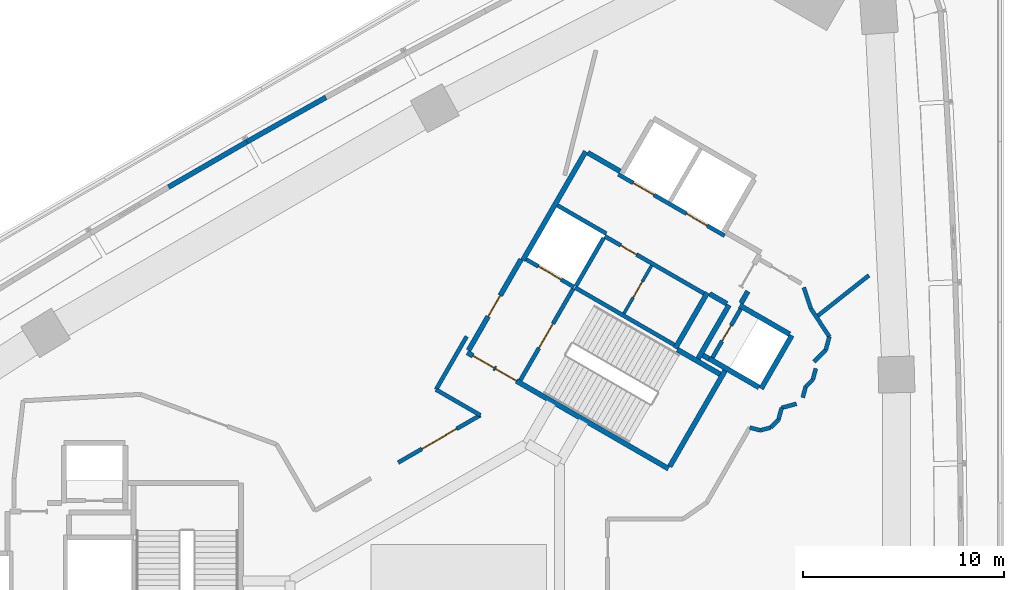
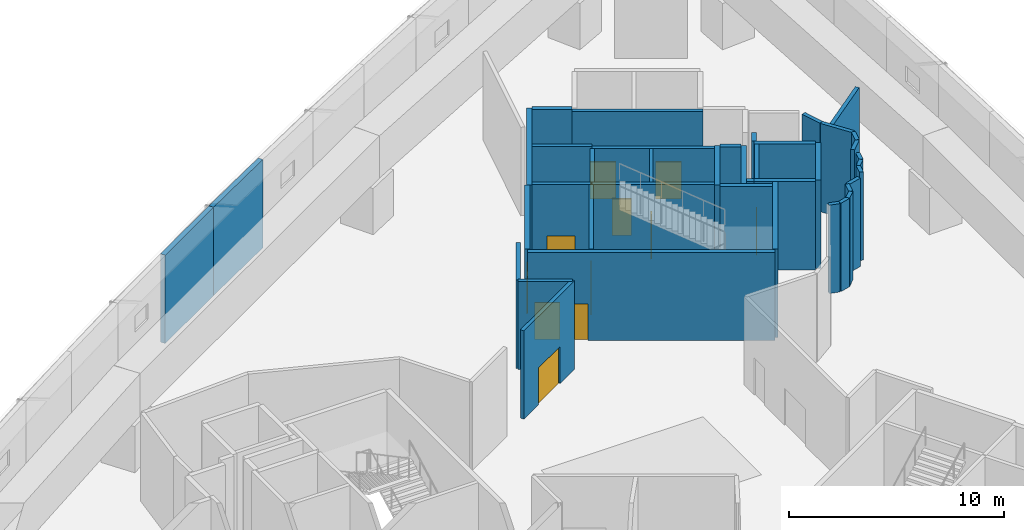
# One storey, part 5 of 11: 41 walls, 11 doors, 11 openings.
"""IFC4 building model written with IfcOpenShell, lengths in metres."""

from ifc_helpers import new_model, si_unit, direction, frame, frame_2d, origin, place, context, subcontext, project, spatial, rectangle, extrude, material, layer, layer_set, type_object, element, fill, save


model = new_model("IFC4")

# Units and contexts
model_context = context("Model", 3, precision=1e-05, world=origin(), true_north=direction((0.0, 1.0)))
body_context = subcontext(model_context, "Body", "Model", "MODEL_VIEW")
ifc_project = project(units=[si_unit("LENGTHUNIT", "METRE"), si_unit("AREAUNIT", "SQUARE_METRE"), si_unit("VOLUMEUNIT", "CUBIC_METRE"), si_unit("PLANEANGLEUNIT", "RADIAN"), si_unit("MASSUNIT", "GRAM", prefix="KILO")], contexts=[model_context])

# Site, building, storey
site_placement = place(None, origin())
site = spatial("IfcSite", under=ifc_project, at=site_placement, CompositionType="ELEMENT")
building_placement = place(site_placement, origin())
building = spatial("IfcBuilding", under=site, at=building_placement, Name="Tamra Quay Hotel Tower", CompositionType="ELEMENT")
storey_placement = place(building_placement, frame((0.0, 0.0, 29.5)))
storey = spatial("IfcBuildingStorey", under=building, at=storey_placement, Name="L05", CompositionType="ELEMENT", Elevation=29.5)

# Wall, openings, doors
ifc_material_1 = material(Name="Concrete M70", Category="concrete")
ifc_layer_1 = layer(ifc_material_1, 0.199951171875)
ifc_layer_set_1 = layer_set([ifc_layer_1], Name="Concrete M70 core wall 200")
wall_type_1 = type_object("IfcWallType", Name="Concrete M70 core wall 200", PredefinedType="SHEAR", material=ifc_layer_set_1)
wall_1_placement = place(storey_placement, frame((13.209716796875, 18.07958984375, 0.0), z_axis=(0.0, 0.0, 1.0), x_axis=(-0.866030299012, 0.499991521122, 0.0)))
wall_1 = element("IfcWall", 1, at=wall_1_placement, inside=storey, type_object=wall_type_1, Name="CW2", PredefinedType="SHEAR", context=body_context, shape_type="SweptSolid", body=[
    extrude(rectangle(XDim=6.10009765625, YDim=0.199951171875, at=frame_2d((3.050048828125, 0.0))), origin(), (0.0, 0.0, 1.0), 5.02490234375),
])
opening_1_placement = place(wall_1_placement, frame((1.0, 0.0, 0.0)))
opening_1 = element("IfcOpeningElement", 2, at=opening_1_placement, cuts=wall_1, Name="Opening LD", PredefinedType="OPENING", context=body_context, shape_type="SweptSolid", body=[
    extrude(rectangle(XDim=1.199951171875, YDim=2.10009765625, at=frame_2d((0.60009765625, 1.050048828125))), frame((0.0, 0.10986328125, 0.0), z_axis=(0.0, -1.0, 0.0), x_axis=(1.0, 0.0, 0.0)), (0.0, 0.0, 1.0), 0.219970703125),
])
opening_2_placement = place(wall_1_placement, frame((4.05029296875, 0.0, 0.0)))
opening_2 = element("IfcOpeningElement", 3, at=opening_2_placement, cuts=wall_1, Name="Opening LD", PredefinedType="OPENING", context=body_context, shape_type="SweptSolid", body=[
    extrude(rectangle(XDim=1.199951171875, YDim=2.10009765625, at=frame_2d((0.60009765625, 1.050048828125))), frame((0.0, 0.10986328125, 0.0), z_axis=(0.0, -1.0, 0.0), x_axis=(1.0, 0.0, 0.0)), (0.0, 0.0, 1.0), 0.219970703125),
])
ifc_material_2 = material(Name="Landing door LD 1200 double door sliding")
door_type_1 = type_object("IfcDoorType", Name="Landing door LD 1200 double door sliding", OperationType="DOUBLE_DOOR_SLIDING", PredefinedType="DOOR", material=ifc_material_2)
door_1_placement = place(opening_1_placement, origin())
door_1 = element("IfcDoor", 4, at=door_1_placement, inside=storey, type_object=door_type_1, Name="LD", OperationType="DOUBLE_DOOR_SLIDING", OverallHeight=2.10009765625, OverallWidth=1.199951171875, PredefinedType="DOOR", context=body_context, shape_type="SweptSolid", body=[
    extrude(rectangle(XDim=1.199951171875, YDim=2.10009765625, at=frame_2d((0.60009765625, 1.050048828125))), frame((0.0, 0.02490234375, 0.0), z_axis=(0.0, -1.0, 0.0), x_axis=(1.0, 0.0, 0.0)), (0.0, 0.0, 1.0), 0.050048828125),
])
fill(opening_1, door_1)
door_2_placement = place(opening_2_placement, origin())
door_2 = element("IfcDoor", 5, at=door_2_placement, inside=storey, type_object=door_type_1, Name="LD", OperationType="DOUBLE_DOOR_SLIDING", OverallHeight=2.10009765625, OverallWidth=1.199951171875, PredefinedType="DOOR", context=body_context, shape_type="SweptSolid", body=[
    extrude(rectangle(XDim=1.199951171875, YDim=2.10009765625, at=frame_2d((0.60009765625, 1.050048828125))), frame((0.0, 0.02490234375, 0.0), z_axis=(0.0, -1.0, 0.0), x_axis=(1.0, 0.0, 0.0)), (0.0, 0.0, 1.0), 0.050048828125),
])
fill(opening_2, door_2)

# Wall
wall_2_placement = place(storey_placement, frame((5.774658203125, 15.501953125, 0.0), z_axis=(0.0, 0.0, 1.0), x_axis=(0.866020080793, -0.500009219579, 0.0)))
element("IfcWall", 6, at=wall_2_placement, inside=storey, type_object=wall_type_1, Name="CW2", PredefinedType="SHEAR", context=body_context, shape_type="SweptSolid", body=[
    extrude(rectangle(XDim=5.69921875, YDim=0.199951171875, at=frame_2d((2.849609375, 0.0))), origin(), (0.0, 0.0, 1.0), 5.02490234375),
])

# Wall, opening, door
wall_3_placement = place(storey_placement, frame((12.18505859375, 15.20703125, 0.0), z_axis=(0.0, 0.0, 1.0), x_axis=(-0.866020080793, 0.500009219579, 0.0)))
wall_3 = element("IfcWall", 7, at=wall_3_placement, inside=storey, type_object=wall_type_1, Name="CW2", PredefinedType="SHEAR", context=body_context, shape_type="SweptSolid", body=[
    extrude(rectangle(XDim=5.69921875, YDim=0.199951171875, at=frame_2d((2.849609375, 0.0))), origin(), (0.0, 0.0, 1.0), 5.02490234375),
])
opening_3_placement = place(wall_3_placement, frame((3.8740234375, 0.0, 0.0)))
opening_3 = element("IfcOpeningElement", 8, at=opening_3_placement, cuts=wall_3, Name="Opening D2", PredefinedType="OPENING", context=body_context, shape_type="SweptSolid", body=[
    extrude(rectangle(XDim=0.89990234375, YDim=2.10009765625, at=frame_2d((0.449951171875, 1.050048828125))), frame((0.0, 0.10986328125, 0.0), z_axis=(0.0, -1.0, 0.0), x_axis=(1.0, 0.0, 0.0)), (0.0, 0.0, 1.0), 0.219970703125),
])
ifc_material_3 = material(Name="Core door D2 900x2100 LH")
door_type_2 = type_object("IfcDoorType", Name="Core door D2 900x2100 LH", OperationType="NOTDEFINED", PredefinedType="DOOR", material=ifc_material_3)
door_3_placement = place(opening_3_placement, origin())
door_3 = element("IfcDoor", 9, at=door_3_placement, inside=storey, type_object=door_type_2, Name="D2", OperationType="SINGLE_SWING_LEFT", OverallHeight=2.10009765625, OverallWidth=0.89990234375, PredefinedType="DOOR", context=body_context, shape_type="SweptSolid", body=[
    extrude(rectangle(XDim=0.89990234375, YDim=2.10009765625, at=frame_2d((0.449951171875, 1.050048828125))), frame((0.0, 0.02490234375, 0.0), z_axis=(0.0, -1.0, 0.0), x_axis=(1.0, 0.0, 0.0)), (0.0, 0.0, 1.0), 0.050048828125),
])
fill(opening_3, door_3)

wall_4_placement = place(storey_placement, frame((3.056640625, 10.89453125, 0.0), z_axis=(0.0, 0.0, 1.0), x_axis=(0.499989418164, 0.866031513124, 0.0)))
wall_4 = element("IfcWall", 10, at=wall_4_placement, inside=storey, type_object=wall_type_1, Name="CW2", PredefinedType="SHEAR", context=body_context, shape_type="SweptSolid", body=[
    extrude(rectangle(XDim=5.2509765625, YDim=0.199951171875, at=frame_2d((2.62548828125, 0.0))), origin(), (0.0, 0.0, 1.0), 5.02490234375),
])
opening_4_placement = place(wall_4_placement, frame((1.84912109375, 0.0, 0.0)))
opening_4 = element("IfcOpeningElement", 11, at=opening_4_placement, cuts=wall_4, Name="Opening FD2", PredefinedType="OPENING", context=body_context, shape_type="SweptSolid", body=[
    extrude(rectangle(XDim=1.39990234375, YDim=2.10009765625, at=frame_2d((0.699951171875, 1.050048828125))), frame((0.0, 0.10986328125, 0.0), z_axis=(0.0, -1.0, 0.0), x_axis=(1.0, 0.0, 0.0)), (0.0, 0.0, 1.0), 0.219970703125),
])
ifc_material_4 = material(Name="Core door FD2 1400x2100 RH")
door_type_3 = type_object("IfcDoorType", Name="Core door FD2 1400x2100 RH", OperationType="NOTDEFINED", PredefinedType="DOOR", material=ifc_material_4)
door_4_placement = place(opening_4_placement, origin())
door_4 = element("IfcDoor", 12, at=door_4_placement, inside=storey, type_object=door_type_3, Name="FD2", OperationType="SINGLE_SWING_RIGHT", OverallHeight=2.10009765625, OverallWidth=1.39990234375, PredefinedType="DOOR", context=body_context, shape_type="SweptSolid", body=[
    extrude(rectangle(XDim=1.39990234375, YDim=2.10009765625, at=frame_2d((0.699951171875, 1.050048828125))), frame((0.0, 0.02490234375, 0.0), z_axis=(0.0, -1.0, 0.0), x_axis=(1.0, 0.0, 0.0)), (0.0, 0.0, 1.0), 0.050048828125),
])
fill(opening_4, door_4)

wall_5_placement = place(storey_placement, frame((14.0078125, 14.442138671875, 0.0), z_axis=(0.0, 0.0, 1.0), x_axis=(-0.499986818241, -0.866033014143, 0.0)))
wall_5 = element("IfcWall", 13, at=wall_5_placement, inside=storey, type_object=wall_type_1, Name="CW2", PredefinedType="SHEAR", context=body_context, shape_type="SweptSolid", body=[
    extrude(rectangle(XDim=2.7978515625, YDim=0.199951171875, at=frame_2d((1.39892578125, 0.0))), origin(), (0.0, 0.0, 1.0), 5.02490234375),
])
opening_5_placement = place(wall_5_placement, frame((0.948974609375, 0.0, 0.0)))
opening_5 = element("IfcOpeningElement", 14, at=opening_5_placement, cuts=wall_5, Name="Opening D1", PredefinedType="OPENING", context=body_context, shape_type="SweptSolid", body=[
    extrude(rectangle(XDim=0.89990234375, YDim=2.10009765625, at=frame_2d((0.449951171875, 1.050048828125))), frame((0.0, 0.10986328125, 0.0), z_axis=(0.0, -1.0, 0.0), x_axis=(1.0, 0.0, 0.0)), (0.0, 0.0, 1.0), 0.219970703125),
])
ifc_material_5 = material(Name="Core door D1 900x2100 RH")
door_type_4 = type_object("IfcDoorType", Name="Core door D1 900x2100 RH", OperationType="NOTDEFINED", PredefinedType="DOOR", material=ifc_material_5)
door_5_placement = place(opening_5_placement, origin())
door_5 = element("IfcDoor", 15, at=door_5_placement, inside=storey, type_object=door_type_4, Name="D1", OperationType="SINGLE_SWING_RIGHT", OverallHeight=2.10009765625, OverallWidth=0.89990234375, PredefinedType="DOOR", context=body_context, shape_type="SweptSolid", body=[
    extrude(rectangle(XDim=0.89990234375, YDim=2.10009765625, at=frame_2d((0.449951171875, 1.050048828125))), frame((0.0, 0.02490234375, 0.0), z_axis=(0.0, -1.0, 0.0), x_axis=(1.0, 0.0, 0.0)), (0.0, 0.0, 1.0), 0.050048828125),
])
fill(opening_5, door_5)

# Wall
wall_6_placement = place(storey_placement, frame((7.199462890625, 17.969970703125, 0.0), z_axis=(0.0, 0.0, 1.0), x_axis=(-0.499968400327, -0.866043647095, 0.0)))
element("IfcWall", 16, at=wall_6_placement, inside=storey, type_object=wall_type_1, Name="CW2", PredefinedType="SHEAR", context=body_context, shape_type="SweptSolid", body=[
    extrude(rectangle(XDim=2.749755859375, YDim=0.199951171875, at=frame_2d((1.375, 0.0))), origin(), (0.0, 0.0, 1.0), 5.02490234375),
])

# Wall, opening, door
wall_7_placement = place(storey_placement, frame((5.72509765625, 15.530517578125, 0.0), z_axis=(0.0, 0.0, 1.0), x_axis=(-0.866037306777, 0.499979382845, 0.0)))
wall_7 = element("IfcWall", 17, at=wall_7_placement, inside=storey, type_object=wall_type_1, Name="CW2", PredefinedType="SHEAR", context=body_context, shape_type="SweptSolid", body=[
    extrude(rectangle(XDim=2.74169921875, YDim=0.199951171875, at=frame_2d((1.370849609375, 0.0))), origin(), (0.0, 0.0, 1.0), 5.02490234375),
])
opening_6_placement = place(wall_7_placement, frame((0.742919921875, 0.0, 0.0)))
opening_6 = element("IfcOpeningElement", 18, at=opening_6_placement, cuts=wall_7, Name="Opening LD", PredefinedType="OPENING", context=body_context, shape_type="SweptSolid", body=[
    extrude(rectangle(XDim=1.300048828125, YDim=2.10009765625, at=frame_2d((0.64990234375, 1.050048828125))), frame((0.0, 0.10986328125, 0.0), z_axis=(0.0, -1.0, 0.0), x_axis=(1.0, 0.0, 0.0)), (0.0, 0.0, 1.0), 0.219970703125),
])
ifc_material_6 = material(Name="Landing door LD 1300 sliding to right")
door_type_5 = type_object("IfcDoorType", Name="Landing door LD 1300 sliding to right", OperationType="NOTDEFINED", PredefinedType="DOOR", material=ifc_material_6)
door_6_placement = place(opening_6_placement, origin())
door_6 = element("IfcDoor", 19, at=door_6_placement, inside=storey, type_object=door_type_5, Name="LD", OperationType="SLIDING_TO_RIGHT", OverallHeight=2.10009765625, OverallWidth=1.300048828125, PredefinedType="DOOR", context=body_context, shape_type="SweptSolid", body=[
    extrude(rectangle(XDim=1.300048828125, YDim=2.10009765625, at=frame_2d((0.64990234375, 1.050048828125))), frame((0.0, 0.02490234375, 0.0), z_axis=(0.0, -1.0, 0.0), x_axis=(1.0, 0.0, 0.0)), (0.0, 0.0, 1.0), 0.050048828125),
])
fill(opening_6, door_6)

# Wall
wall_8_placement = place(storey_placement, frame((4.900634765625, 19.5859375, 0.0), z_axis=(0.0, 0.0, 1.0), x_axis=(0.866022890907, -0.500004352405, 0.0)))
element("IfcWall", 20, at=wall_8_placement, inside=storey, type_object=wall_type_1, Name="CW2", PredefinedType="SHEAR", context=body_context, shape_type="SweptSolid", body=[
    extrude(rectangle(XDim=2.798828125, YDim=0.199951171875, at=frame_2d((1.3994140625, 0.0))), origin(), (0.0, 0.0, 1.0), 5.02490234375),
])

# Wall, openings, doors
ifc_layer_2 = layer(ifc_material_1, 0.25)
ifc_layer_set_2 = layer_set([ifc_layer_2], Name="Concrete M70 core wall 250")
wall_type_2 = type_object("IfcWallType", Name="Concrete M70 core wall 250", PredefinedType="SHEAR", material=ifc_layer_set_2)
wall_9_placement = place(storey_placement, frame((10.419921875, 6.497802734375, 0.0), z_axis=(0.0, 0.0, 1.0), x_axis=(-0.866021906294, 0.500006057782, 0.0)))
wall_9 = element("IfcWall", 21, at=wall_9_placement, inside=storey, type_object=wall_type_2, Name="CW1", PredefinedType="SHEAR", context=body_context, shape_type="SweptSolid", body=[
    extrude(rectangle(XDim=11.550048828125, YDim=0.25, at=frame_2d((5.77490234375, 0.0))), origin(), (0.0, 0.0, 1.0), 5.02490234375),
])
opening_7_placement = place(wall_9_placement, frame((10.02490234375, 0.0, 0.0)))
opening_7 = element("IfcOpeningElement", 22, at=opening_7_placement, cuts=wall_9, Name="Opening FD1", PredefinedType="OPENING", context=body_context, shape_type="SweptSolid", body=[
    extrude(rectangle(XDim=1.199951171875, YDim=2.10009765625, at=frame_2d((0.60009765625, 1.050048828125))), frame((0.0, 0.135009765625, 0.0), z_axis=(0.0, -1.0, 0.0), x_axis=(1.0, 0.0, 0.0)), (0.0, 0.0, 1.0), 0.27001953125),
])
opening_8_placement = place(wall_9_placement, frame((8.724853515625, 0.0, 0.0)))
opening_8 = element("IfcOpeningElement", 23, at=opening_8_placement, cuts=wall_9, Name="Opening FD1", PredefinedType="OPENING", context=body_context, shape_type="SweptSolid", body=[
    extrude(rectangle(XDim=1.199951171875, YDim=2.10009765625, at=frame_2d((0.60009765625, 1.050048828125))), frame((0.0, 0.135009765625, 0.0), z_axis=(0.0, -1.0, 0.0), x_axis=(1.0, 0.0, 0.0)), (0.0, 0.0, 1.0), 0.27001953125),
])
ifc_material_7 = material(Name="Core door FD1 1200x2100 LH")
door_type_6 = type_object("IfcDoorType", Name="Core door FD1 1200x2100 LH", OperationType="NOTDEFINED", PredefinedType="DOOR", material=ifc_material_7)
door_7_placement = place(opening_7_placement, origin())
door_7 = element("IfcDoor", 24, at=door_7_placement, inside=storey, type_object=door_type_6, Name="FD1", OperationType="SINGLE_SWING_LEFT", OverallHeight=2.10009765625, OverallWidth=1.199951171875, PredefinedType="DOOR", context=body_context, shape_type="SweptSolid", body=[
    extrude(rectangle(XDim=1.199951171875, YDim=2.10009765625, at=frame_2d((0.60009765625, 1.050048828125))), frame((0.0, 0.02490234375, 0.0), z_axis=(0.0, -1.0, 0.0), x_axis=(1.0, 0.0, 0.0)), (0.0, 0.0, 1.0), 0.050048828125),
])
fill(opening_7, door_7)
ifc_material_8 = material(Name="Core door FD1 1200x2100 RH")
door_type_7 = type_object("IfcDoorType", Name="Core door FD1 1200x2100 RH", OperationType="NOTDEFINED", PredefinedType="DOOR", material=ifc_material_8)
door_8_placement = place(opening_8_placement, origin())
door_8 = element("IfcDoor", 25, at=door_8_placement, inside=storey, type_object=door_type_7, Name="FD1", OperationType="SINGLE_SWING_RIGHT", OverallHeight=2.10009765625, OverallWidth=1.199951171875, PredefinedType="DOOR", context=body_context, shape_type="SweptSolid", body=[
    extrude(rectangle(XDim=1.199951171875, YDim=2.10009765625, at=frame_2d((0.60009765625, 1.050048828125))), frame((0.0, 0.02490234375, 0.0), z_axis=(0.0, -1.0, 0.0), x_axis=(1.0, 0.0, 0.0)), (0.0, 0.0, 1.0), 0.050048828125),
])
fill(opening_8, door_8)

# Wall
wall_10_placement = place(storey_placement, frame((3.178955078125, 16.856201171875, 0.0), z_axis=(0.0, 0.0, 1.0), x_axis=(0.500004234368, 0.866022959057, 0.0)))
element("IfcWall", 26, at=wall_10_placement, inside=storey, type_object=wall_type_2, Name="CW1", PredefinedType="SHEAR", context=body_context, shape_type="SweptSolid", body=[
    extrude(rectangle(XDim=6.25, YDim=0.25, at=frame_2d((3.125, 0.0))), origin(), (0.0, 0.0, 1.0), 5.02490234375),
])

# Wall, opening, door
wall_11_placement = place(storey_placement, frame((0.47998046875, 12.38134765625, 0.0), z_axis=(0.0, 0.0, 1.0), x_axis=(0.49999885962, 0.866026062182, 0.0)))
wall_11 = element("IfcWall", 27, at=wall_11_placement, inside=storey, type_object=wall_type_2, Name="CW1", PredefinedType="SHEAR", context=body_context, shape_type="SweptSolid", body=[
    extrude(rectangle(XDim=5.224609375, YDim=0.25, at=frame_2d((2.6123046875, 0.0))), origin(), (0.0, 0.0, 1.0), 5.02490234375),
])
opening_9_placement = place(wall_11_placement, frame((1.94970703125, 0.0, 0.0)))
opening_9 = element("IfcOpeningElement", 28, at=opening_9_placement, cuts=wall_11, Name="Opening D2", PredefinedType="OPENING", context=body_context, shape_type="SweptSolid", body=[
    extrude(rectangle(XDim=1.199951171875, YDim=2.10009765625, at=frame_2d((0.60009765625, 1.050048828125))), frame((0.0, 0.135009765625, 0.0), z_axis=(0.0, -1.0, 0.0), x_axis=(1.0, 0.0, 0.0)), (0.0, 0.0, 1.0), 0.27001953125),
])
ifc_material_9 = material(Name="Core door D2 1200x2100 LH")
door_type_8 = type_object("IfcDoorType", Name="Core door D2 1200x2100 LH", OperationType="NOTDEFINED", PredefinedType="DOOR", material=ifc_material_9)
door_9_placement = place(opening_9_placement, origin())
door_9 = element("IfcDoor", 29, at=door_9_placement, inside=storey, type_object=door_type_8, Name="D2", OperationType="SINGLE_SWING_LEFT", OverallHeight=2.10009765625, OverallWidth=1.199951171875, PredefinedType="DOOR", context=body_context, shape_type="SweptSolid", body=[
    extrude(rectangle(XDim=1.199951171875, YDim=2.10009765625, at=frame_2d((0.60009765625, 1.050048828125))), frame((0.0, 0.02490234375, 0.0), z_axis=(0.0, -1.0, 0.0), x_axis=(1.0, 0.0, 0.0)), (0.0, 0.0, 1.0), 0.050048828125),
])
fill(opening_9, door_9)

# Walls
wall_12_placement = place(storey_placement, frame((13.237548828125, 11.3779296875, 0.0), z_axis=(0.0, 0.0, 1.0), x_axis=(-0.500008851346, -0.866020293397, 0.0)))
element("IfcWall", 30, at=wall_12_placement, inside=storey, type_object=wall_type_2, Name="CW1", PredefinedType="SHEAR", context=body_context, shape_type="SweptSolid", body=[
    extrude(rectangle(XDim=5.509765625, YDim=0.25, at=frame_2d((2.7548828125, 0.0))), origin(), (0.0, 0.0, 1.0), 5.02490234375),
])
wall_13_placement = place(storey_placement, frame((12.356689453125, 15.25244140625, 0.0), z_axis=(0.0, 0.0, 1.0), x_axis=(-0.500028443584, -0.866008981251, 0.0)))
element("IfcWall", 31, at=wall_13_placement, inside=storey, type_object=wall_type_2, Name="CW1", PredefinedType="SHEAR", context=body_context, shape_type="SweptSolid", body=[
    extrude(rectangle(XDim=3.199951171875, YDim=0.25, at=frame_2d((1.60009765625, 0.0))), origin(), (0.0, 0.0, 1.0), 5.02490234375),
])
wall_14_placement = place(storey_placement, frame((16.552001953125, 13.118896484375, 0.0), z_axis=(0.0, 0.0, 1.0), x_axis=(-0.499978833458, -0.866037623948, 0.0)))
element("IfcWall", 32, at=wall_14_placement, inside=storey, type_object=wall_type_2, Name="CW1", PredefinedType="SHEAR", context=body_context, shape_type="SweptSolid", body=[
    extrude(rectangle(XDim=3.050048828125, YDim=0.25, at=frame_2d((1.52490234375, 0.0))), origin(), (0.0, 0.0, 1.0), 5.02490234375),
])
wall_15_placement = place(storey_placement, frame((14.91845703125, 10.540283203125, 0.0), z_axis=(0.0, 0.0, 1.0), x_axis=(-0.866063538972, 0.499933942099, 0.0)))
element("IfcWall", 33, at=wall_15_placement, inside=storey, type_object=wall_type_2, Name="CW1", PredefinedType="SHEAR", context=body_context, shape_type="SweptSolid", body=[
    extrude(rectangle(XDim=2.86474609375, YDim=0.25, at=frame_2d((1.432373046875, 0.0))), origin(), (0.0, 0.0, 1.0), 5.02490234375),
])
wall_16_placement = place(storey_placement, frame((13.962646484375, 14.61376953125, 0.0), z_axis=(0.0, 0.0, 1.0), x_axis=(0.866042235819, -0.499970844928, 0.0)))
element("IfcWall", 34, at=wall_16_placement, inside=storey, type_object=wall_type_2, Name="CW1", PredefinedType="SHEAR", context=body_context, shape_type="SweptSolid", body=[
    extrude(rectangle(XDim=2.864501953125, YDim=0.25, at=frame_2d((1.43212890625, 0.0))), origin(), (0.0, 0.0, 1.0), 5.02490234375),
])
wall_17_placement = place(storey_placement, frame((11.887939453125, 11.960693359375, 0.0), z_axis=(0.0, 0.0, 1.0), x_axis=(0.500003324108, 0.866023484601, 0.0)))
element("IfcWall", 35, at=wall_17_placement, inside=storey, type_object=wall_type_2, Name="CW1", PredefinedType="SHEAR", context=body_context, shape_type="SweptSolid", body=[
    extrude(rectangle(XDim=3.0849609375, YDim=0.25, at=frame_2d((1.54248046875, 0.0))), origin(), (0.0, 0.0, 1.0), 5.02490234375),
])
wall_18_placement = place(storey_placement, frame((10.865234375, 12.41845703125, 0.0), z_axis=(0.0, 0.0, 1.0), x_axis=(0.866026229868, -0.499998569178, 0.0)))
element("IfcWall", 36, at=wall_18_placement, inside=storey, type_object=wall_type_2, Name="CW1", PredefinedType="SHEAR", context=body_context, shape_type="SweptSolid", body=[
    extrude(rectangle(XDim=2.44921875, YDim=0.25, at=frame_2d((1.224609375, 0.0))), origin(), (0.0, 0.0, 1.0), 5.02490234375),
])
wall_19_placement = place(storey_placement, frame((6.41259765625, 22.2060546875, 0.0), z_axis=(0.0, 0.0, 1.0), x_axis=(0.866016279763, -0.500015802937, 0.0)))
element("IfcWall", 37, at=wall_19_placement, inside=storey, type_object=wall_type_2, Name="CW1", PredefinedType="SHEAR", context=body_context, shape_type="SweptSolid", body=[
    extrude(rectangle(XDim=1.84912109375, YDim=0.25, at=frame_2d((0.924560546875, 0.0))), origin(), (0.0, 0.0, 1.0), 5.02490234375),
])
wall_20_placement = place(storey_placement, frame((13.322021484375, 14.695068359375, 0.0), z_axis=(0.0, 0.0, 1.0), x_axis=(-0.866017078145, 0.500014420154, 0.0)))
element("IfcWall", 38, at=wall_20_placement, inside=storey, type_object=wall_type_2, Name="CW1", PredefinedType="SHEAR", context=body_context, shape_type="SweptSolid", body=[
    extrude(rectangle(XDim=0.9892578125, YDim=0.25, at=frame_2d((0.49462890625, 0.0))), origin(), (0.0, 0.0, 1.0), 5.02490234375),
])
wall_21_placement = place(storey_placement, frame((14.36767578125, 15.3154296875, 0.0), z_axis=(0.0, 0.0, 1.0), x_axis=(-0.499897359611, -0.866084655132, 0.0)))
element("IfcWall", 39, at=wall_21_placement, inside=storey, type_object=wall_type_2, Name="CW1", PredefinedType="SHEAR", context=body_context, shape_type="SweptSolid", body=[
    extrude(rectangle(XDim=0.684814453125, YDim=0.25, at=frame_2d((0.34228515625, 0.0))), origin(), (0.0, 0.0, 1.0), 5.02490234375),
])
wall_22_placement = place(storey_placement, frame((12.4326171875, 11.9638671875, 0.0), z_axis=(0.0, 0.0, 1.0), x_axis=(-0.866055875208, 0.499947218231, 0.0)))
element("IfcWall", 40, at=wall_22_placement, inside=storey, type_object=wall_type_2, Name="CW1", PredefinedType="SHEAR", context=body_context, shape_type="SweptSolid", body=[
    extrude(rectangle(XDim=0.3447265625, YDim=0.25, at=frame_2d((0.17236328125, 0.0))), origin(), (0.0, 0.0, 1.0), 5.02490234375),
])

# Wall, opening, door
ifc_material_10 = material(Name="Blockwork", Category="masonry")
ifc_layer_3 = layer(ifc_material_10, 0.14990234375)
ifc_layer_set_3 = layer_set([ifc_layer_3], Name="Core partition block 150")
wall_type_3 = type_object("IfcWallType", Name="Core partition block 150", PredefinedType="PARTITIONING", material=ifc_layer_set_3)
wall_23_placement = place(storey_placement, frame((8.20654296875, 14.214111328125, 0.0), z_axis=(0.0, 0.0, 1.0), x_axis=(0.499922376475, 0.866070215109, 0.0)))
wall_23 = element("IfcWall", 41, at=wall_23_placement, inside=storey, type_object=wall_type_3, Name="CP1", PredefinedType="PARTITIONING", context=body_context, shape_type="SweptSolid", body=[
    extrude(rectangle(XDim=2.74853515625, YDim=0.14990234375, at=frame_2d((1.374267578125, 0.0))), origin(), (0.0, 0.0, 1.0), 5.02490234375),
])
opening_10_placement = place(wall_23_placement, frame((0.92431640625, 0.0, 0.0)))
opening_10 = element("IfcOpeningElement", 42, at=opening_10_placement, cuts=wall_23, Name="Opening D2", PredefinedType="OPENING", context=body_context, shape_type="SweptSolid", body=[
    extrude(rectangle(XDim=0.89990234375, YDim=2.10009765625, at=frame_2d((0.449951171875, 1.050048828125))), frame((0.0, 0.0849609375, 0.0), z_axis=(0.0, -1.0, 0.0), x_axis=(1.0, 0.0, 0.0)), (0.0, 0.0, 1.0), 0.169921875),
])
door_10_placement = place(opening_10_placement, origin())
door_10 = element("IfcDoor", 43, at=door_10_placement, inside=storey, type_object=door_type_2, Name="D2", OperationType="SINGLE_SWING_LEFT", OverallHeight=2.10009765625, OverallWidth=0.89990234375, PredefinedType="DOOR", context=body_context, shape_type="SweptSolid", body=[
    extrude(rectangle(XDim=0.89990234375, YDim=2.10009765625, at=frame_2d((0.449951171875, 1.050048828125))), frame((0.0, 0.02490234375, 0.0), z_axis=(0.0, -1.0, 0.0), x_axis=(1.0, 0.0, 0.0)), (0.0, 0.0, 1.0), 0.050048828125),
])
fill(opening_10, door_10)

# Walls
ifc_material_11 = material(Name="Blockwork masonry plastered", Category="masonry")
ifc_layer_4 = layer(ifc_material_11, 0.25)
ifc_layer_set_4 = layer_set([ifc_layer_4], Name="EXTERNAL WALL 250")
wall_type_4 = type_object("IfcWallType", Name="EXTERNAL WALL 250", PredefinedType="SOLIDWALL", material=ifc_layer_set_4)
for number, where, z_axis, x_axis, name in (
    (44, (-10.535400390625, 22.74951171875, 0.0), (0.0, 0.0, 1.0), (0.871397434976, 0.490577731167, 0.0), "EW1"),
    (45, (-14.43505859375, 20.498046875, 0.0), (0.0, 0.0, 1.0), (0.866023117852, 0.500003959331, 0.0), "EW1"),
):
    element("IfcWall", number, at=place(storey_placement, frame(where, z_axis=z_axis, x_axis=x_axis)), inside=storey, type_object=wall_type_4, Name=name, PredefinedType="SOLIDWALL", context=body_context, shape_type="SweptSolid", body=[
        extrude(rectangle(XDim=4.50439453125, YDim=0.25, at=frame_2d((2.252197265625, 0.0))), origin(), (0.0, 0.0, 1.0), 5.02490234375),
    ])

# Wall, opening, door
ifc_material_12 = material(Name="Partition corridor wall")
ifc_layer_5 = layer(ifc_material_12, 0.199951171875)
ifc_layer_set_5 = layer_set([ifc_layer_5], Name="Partition corridor wall")
wall_type_5 = type_object("IfcWallType", Name="Partition corridor wall", PredefinedType="PARTITIONING", material=ifc_layer_set_5)
wall_24_placement = place(storey_placement, frame((-3.018798828125, 6.800537109375, 0.0), z_axis=(0.0, 0.0, 1.0), x_axis=(0.866108818717, 0.499855493259, 0.0)))
wall_24 = element("IfcWall", 46, at=wall_24_placement, inside=storey, type_object=wall_type_5, Name="W-C", PredefinedType="PARTITIONING", context=body_context, shape_type="SweptSolid", body=[
    extrude(rectangle(XDim=4.712890625, YDim=0.199951171875, at=frame_2d((2.3564453125, 0.0))), origin(), (0.0, 0.0, 1.0), 5.02490234375),
])
opening_11_placement = place(wall_24_placement, frame((1.359619140625, 0.0, 0.0)))
opening_11 = element("IfcOpeningElement", 47, at=opening_11_placement, cuts=wall_24, Name="Opening L05-D007", PredefinedType="OPENING", context=body_context, shape_type="SweptSolid", body=[
    extrude(rectangle(XDim=2.0, YDim=2.10009765625, at=frame_2d((1.0, 1.050048828125))), frame((0.0, 0.10986328125, 0.0), z_axis=(0.0, -1.0, 0.0), x_axis=(1.0, 0.0, 0.0)), (0.0, 0.0, 1.0), 0.219970703125),
])
ifc_material_13 = material(Name="Door double leaf 2000x2100")
door_type_9 = type_object("IfcDoorType", Name="Door double leaf 2000x2100", OperationType="DOUBLE_DOOR_SINGLE_SWING", PredefinedType="DOOR", material=ifc_material_13)
door_11_placement = place(opening_11_placement, origin())
door_11 = element("IfcDoor", 48, at=door_11_placement, inside=storey, type_object=door_type_9, Name="L05-D007", OperationType="DOUBLE_DOOR_SINGLE_SWING", OverallHeight=2.10009765625, OverallWidth=2.0, PredefinedType="DOOR", context=body_context, shape_type="SweptSolid", body=[
    extrude(rectangle(XDim=2.0, YDim=2.10009765625, at=frame_2d((1.0, 1.050048828125))), frame((0.0, 0.02490234375, 0.0), z_axis=(0.0, -1.0, 0.0), x_axis=(1.0, 0.0, 0.0)), (0.0, 0.0, 1.0), 0.050048828125),
])
fill(opening_11, door_11)

# Walls
wall_25_placement = place(storey_placement, frame((-1.137939453125, 10.428955078125, 0.0), z_axis=(0.0, 0.0, 1.0), x_axis=(0.865879872582, -0.500251982761, 0.0)))
element("IfcWall", 49, at=wall_25_placement, inside=storey, type_object=wall_type_5, Name="W-C", PredefinedType="PARTITIONING", context=body_context, shape_type="SweptSolid", body=[
    extrude(rectangle(XDim=2.540771484375, YDim=0.199951171875, at=frame_2d((1.2705078125, 0.0))), origin(), (0.0, 0.0, 1.0), 5.02490234375),
])
wall_26_placement = place(storey_placement, frame((-1.137939453125, 10.428955078125, 0.0), z_axis=(0.0, 0.0, 1.0), x_axis=(0.500013496215, 0.866017611601, 0.0)))
element("IfcWall", 50, at=wall_26_placement, inside=storey, type_object=wall_type_5, Name="W-C", PredefinedType="PARTITIONING", context=body_context, shape_type="SweptSolid", body=[
    extrude(rectangle(XDim=3.0498046875, YDim=0.199951171875, at=frame_2d((1.52490234375, 0.0))), origin(), (0.0, 0.0, 1.0), 5.02490234375),
])
wall_27_placement = place(storey_placement, frame((14.4619140625, 8.5419921875, 0.0), z_axis=(0.0, 0.0, 1.0), x_axis=(0.966000755685, -0.258539242702, 0.0)))
element("IfcWall", 51, at=wall_27_placement, inside=storey, type_object=wall_type_5, Name="W-C", PredefinedType="PARTITIONING", context=body_context, shape_type="SweptSolid", body=[
    extrude(rectangle(XDim=0.537353515625, YDim=0.199951171875, at=frame_2d((0.2685546875, 0.0))), origin(), (0.0, 0.0, 1.0), 5.02490234375),
])
for number, where, z_axis, x_axis, name in (
    (52, (14.98095703125, 8.403076171875, 0.0), (0.0, 0.0, 1.0), (0.965911748822, 0.25887157721, 0.0), "W-C"),
    (53, (15.5029296875, 8.54296875, 0.0), (0.0, 0.0, 1.0), (0.707106781187, 0.707106781187, 0.0), "W-C"),
):
    element("IfcWall", number, at=place(storey_placement, frame(where, z_axis=z_axis, x_axis=x_axis)), inside=storey, type_object=wall_type_5, Name=name, PredefinedType="PARTITIONING", context=body_context, shape_type="SweptSolid", body=[
        extrude(rectangle(XDim=0.540283203125, YDim=0.199951171875, at=frame_2d((0.27001953125, 0.0))), origin(), (0.0, 0.0, 1.0), 5.02490234375),
    ])
wall_28_placement = place(storey_placement, frame((15.885009765625, 8.925048828125, 0.0), z_axis=(0.0, 0.0, 1.0), x_axis=(0.259451030732, 0.96575626462, 0.0)))
element("IfcWall", 54, at=wall_28_placement, inside=storey, type_object=wall_type_5, Name="W-C", PredefinedType="PARTITIONING", context=body_context, shape_type="SweptSolid", body=[
    extrude(rectangle(XDim=0.6201171875, YDim=0.199951171875, at=frame_2d((0.31005859375, 0.0))), origin(), (0.0, 0.0, 1.0), 5.02490234375),
])
wall_29_placement = place(storey_placement, frame((16.0458984375, 9.52392578125, 0.0), z_axis=(0.0, 0.0, 1.0), x_axis=(0.965760773793, 0.259434245626, 0.0)))
element("IfcWall", 55, at=wall_29_placement, inside=storey, type_object=wall_type_5, Name="W-C", PredefinedType="PARTITIONING", context=body_context, shape_type="SweptSolid", body=[
    extrude(rectangle(XDim=0.76318359375, YDim=0.199951171875, at=frame_2d((0.381591796875, 0.0))), origin(), (0.0, 0.0, 1.0), 5.02490234375),
])
wall_30_placement = place(storey_placement, frame((17.095947265625, 10.033935546875, 0.0), z_axis=(0.0, 0.0, 1.0), x_axis=(0.257717024656, 0.966220438204, 0.0)))
element("IfcWall", 56, at=wall_30_placement, inside=storey, type_object=wall_type_5, Name="W-C", PredefinedType="PARTITIONING", context=body_context, shape_type="SweptSolid", body=[
    extrude(rectangle(XDim=0.558837890625, YDim=0.199951171875, at=frame_2d((0.279296875, 0.0))), origin(), (0.0, 0.0, 1.0), 5.02490234375),
])
wall_31_placement = place(storey_placement, frame((17.15087890625, 15.506103515625, 0.0), z_axis=(0.0, 0.0, 1.0), x_axis=(0.313631470976, -0.949544785891, 0.0)))
element("IfcWall", 57, at=wall_31_placement, inside=storey, type_object=wall_type_5, Name="W-C", PredefinedType="PARTITIONING", context=body_context, shape_type="SweptSolid", body=[
    extrude(rectangle(XDim=1.1005859375, YDim=0.199951171875, at=frame_2d((0.55029296875, 0.0))), origin(), (0.0, 0.0, 1.0), 5.02490234375),
])
wall_32_placement = place(storey_placement, frame((17.239990234375, 10.573974609375, 0.0), z_axis=(0.0, 0.0, 1.0), x_axis=(0.707106781187, 0.707106781187, 0.0)))
element("IfcWall", 58, at=wall_32_placement, inside=storey, type_object=wall_type_5, Name="W-C", PredefinedType="PARTITIONING", context=body_context, shape_type="SweptSolid", body=[
    extrude(rectangle(XDim=0.5078125, YDim=0.199951171875, at=frame_2d((0.25390625, 0.0))), origin(), (0.0, 0.0, 1.0), 5.02490234375),
])
wall_33_placement = place(storey_placement, frame((17.495849609375, 14.4609375, 0.0), z_axis=(0.0, 0.0, 1.0), x_axis=(0.548472067288, -0.836168877324, 0.0)))
element("IfcWall", 59, at=wall_33_placement, inside=storey, type_object=wall_type_5, Name="W-C", PredefinedType="PARTITIONING", context=body_context, shape_type="SweptSolid", body=[
    extrude(rectangle(XDim=1.677734375, YDim=0.199951171875, at=frame_2d((0.8388671875, 0.0))), origin(), (0.0, 0.0, 1.0), 5.02490234375),
])
wall_34_placement = place(storey_placement, frame((17.59912109375, 10.93310546875, 0.0), z_axis=(0.0, 0.0, 1.0), x_axis=(0.258678808613, 0.965963391633, 0.0)))
element("IfcWall", 60, at=wall_34_placement, inside=storey, type_object=wall_type_5, Name="W-C", PredefinedType="PARTITIONING", context=body_context, shape_type="SweptSolid", body=[
    extrude(rectangle(XDim=0.568115234375, YDim=0.199951171875, at=frame_2d((0.2841796875, 0.0))), origin(), (0.0, 0.0, 1.0), 5.02490234375),
])
wall_35_placement = place(storey_placement, frame((17.656982421875, 11.81591796875, 0.0), z_axis=(0.0, 0.0, 1.0), x_axis=(0.707106781187, 0.707106781187, 0.0)))
element("IfcWall", 61, at=wall_35_placement, inside=storey, type_object=wall_type_5, Name="W-C", PredefinedType="PARTITIONING", context=body_context, shape_type="SweptSolid", body=[
    extrude(rectangle(XDim=0.822998046875, YDim=0.199951171875, at=frame_2d((0.41162109375, 0.0))), origin(), (0.0, 0.0, 1.0), 5.02490234375),
])
wall_36_placement = place(storey_placement, frame((18.239013671875, 12.39794921875, 0.0), z_axis=(0.0, 0.0, 1.0), x_axis=(0.258974143657, 0.96588425441, 0.0)))
element("IfcWall", 62, at=wall_36_placement, inside=storey, type_object=wall_type_5, Name="W-C", PredefinedType="PARTITIONING", context=body_context, shape_type="SweptSolid", body=[
    extrude(rectangle(XDim=0.68359375, YDim=0.199951171875, at=frame_2d((0.341796875, 0.0))), origin(), (0.0, 0.0, 1.0), 5.02490234375),
])
ifc_material_14 = material(Name="Partition party wall")
ifc_layer_6 = layer(ifc_material_14, 0.199951171875)
ifc_layer_set_6 = layer_set([ifc_layer_6], Name="Partition party wall")
wall_type_6 = type_object("IfcWallType", Name="Partition party wall", PredefinedType="PARTITIONING", material=ifc_layer_set_6)
wall_37_placement = place(storey_placement, frame((17.77294921875, 14.0439453125, 0.0), z_axis=(0.0, 0.0, 1.0), x_axis=(0.7845351384, 0.620084362499, 0.0)))
element("IfcWall", 63, at=wall_37_placement, inside=storey, type_object=wall_type_6, Name="W-P", PredefinedType="PARTITIONING", context=body_context, shape_type="SweptSolid", body=[
    extrude(rectangle(XDim=3.326904296875, YDim=0.199951171875, at=frame_2d((1.66357421875, 0.0))), origin(), (0.0, 0.0, 1.0), 5.02490234375),
])

save(model, "model.ifc")
